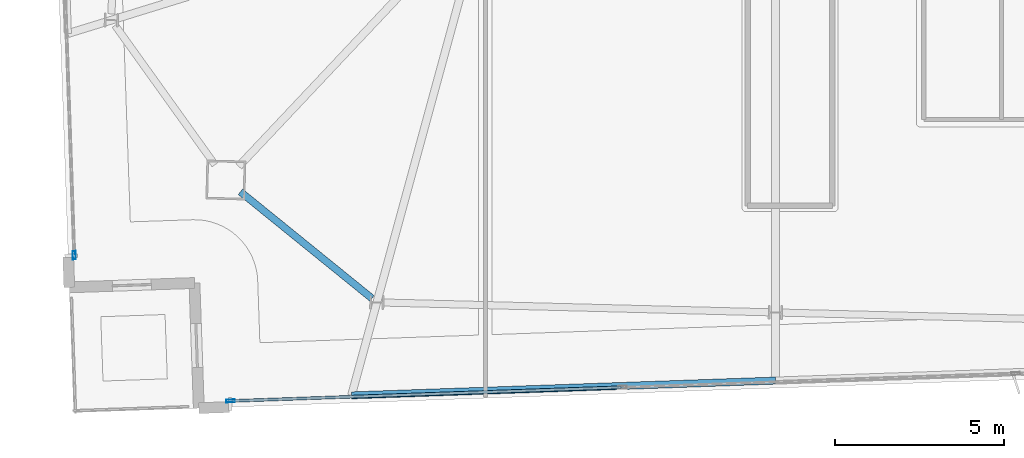
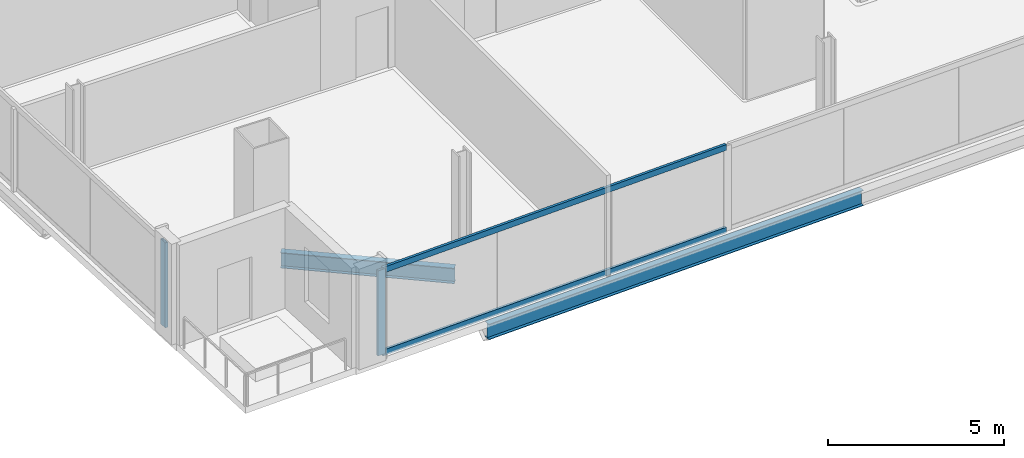
# One storey, part 2 of 23: 4 members, 2 beams, 2 elements without a shape of their own.
"""IFC4 building model written with IfcOpenShell, lengths in metres."""

from ifc_helpers import new_model, si_unit, direction, frame, origin, origin_2d, place, context, subcontext, project, spatial, hollow_rectangle, i_section, extrude, material, material_profile, profile_set, type_object, element, aggregate, save


model = new_model("IFC4")

# Units and contexts
model_context = context("Model", 3, precision=1e-05, world=origin(), true_north=direction((0.0, 1.0)))
body_context = subcontext(model_context, "Body", "Model", "MODEL_VIEW")
ifc_project = project(units=[si_unit("LENGTHUNIT", "METRE"), si_unit("AREAUNIT", "SQUARE_METRE"), si_unit("VOLUMEUNIT", "CUBIC_METRE"), si_unit("PLANEANGLEUNIT", "RADIAN"), si_unit("MASSUNIT", "GRAM", prefix="KILO")], contexts=[model_context])

# Site, building, storey
site_placement = place(None, origin())
site = spatial("IfcSite", under=ifc_project, at=site_placement, CompositionType="ELEMENT")
building_placement = place(site_placement, origin())
building = spatial("IfcBuilding", under=site, at=building_placement, Name="Haldenkirk Collegiate Tower", CompositionType="ELEMENT")
storey_placement = place(building_placement, frame((0.0, 0.0, 336.449951171875)))
storey = spatial("IfcBuildingStorey", under=building, at=storey_placement, Name="L85", CompositionType="ELEMENT", Elevation=336.449951171875)

# Beams
ifc_material_1 = material(Name="Steel ASTM A992 Grade 50", Category="steel")
ifc_material_profile_1 = material_profile(ifc_material_1, i_section(OverallWidth=0.2099609375, OverallDepth=0.537109375, WebThickness=0.010986328125, FlangeThickness=0.017333984375, at=origin_2d()), Name="W21X68")
ifc_profile_set_1 = profile_set([ifc_material_profile_1], Name="Steel ASTM A992 Grade 50")
beam_type = type_object("IfcBeamType", Name="BM-SPANDREL-W21X68", PredefinedType="SPANDREL", material=ifc_profile_set_1)
beam_1_placement = place(storey_placement, frame((19.767578125, 9.51708984375, -0.528564453125), z_axis=(0.776950131303, -0.629562144247, 0.0), x_axis=(0.629562144247, 0.776950131303, 0.0)))
element("IfcBeam", 1, at=beam_1_placement, inside=storey, type_object=beam_type, Name="L85 perimeter spandrel beam 13", PredefinedType="SPANDREL", context=body_context, shape_type="SweptSolid", body=[
    extrude(i_section(OverallWidth=0.2099609375, OverallDepth=0.537109375, WebThickness=0.010986328125, FlangeThickness=0.017333984375, at=origin_2d()), origin(), (0.0, 0.0, 1.0), 4.99755859375),
])
beam_2_placement = place(storey_placement, frame((23.046875, 3.504150390625, -0.528564453125), z_axis=(0.999390766978, 0.034901216021, 0.0), x_axis=(-0.034901216021, 0.999390766978, 0.0)))
element("IfcBeam", 2, at=beam_2_placement, inside=storey, type_object=beam_type, Name="L85 outer facade edge beam 4A", PredefinedType="SPANDREL", context=body_context, shape_type="SweptSolid", body=[
    extrude(i_section(OverallWidth=0.2099609375, OverallDepth=0.537109375, WebThickness=0.010986328125, FlangeThickness=0.017333984375, at=origin_2d()), origin(), (0.0, 0.0, 1.0), 12.5283203125),
])

# Curtain wall, member
ifc_material_2 = material(Name="Anodised architectural bronze aluminium", Category="aluminium")
curtain_wall_type = type_object("IfcCurtainWallType", Name="CW-SYS1B-CONVEX-HI", PredefinedType="USERDEFINED", material=ifc_material_2)
curtain_wall_1_placement = place(storey_placement, origin())
curtain_wall_1 = element("IfcCurtainWall", 3, at=curtain_wall_1_placement, inside=storey, type_object=curtain_wall_type, Name="L85 Upper tower high-wind convex bronze unitised curtain wall", ObjectType="UNITISED CURTAIN WALL", PredefinedType="USERDEFINED")
ifc_material_profile_2 = material_profile(ifc_material_2, hollow_rectangle(XDim=0.0849609375, YDim=0.25, WallThickness=0.0048828125, at=origin_2d()), Name="CW-MUL-1B")
ifc_profile_set_2 = profile_set([ifc_material_profile_2], Name="Anodised architectural bronze aluminium")
member_type_1 = type_object("IfcMemberType", Name="CW-MUL-1B", PredefinedType="MULLION", material=ifc_profile_set_2)
member_1_placement = place(storey_placement, frame((14.85791015625, 7.6435546875, 0.0), z_axis=(0.0, 0.0, 1.0), x_axis=(-0.999390776503, -0.034900943257, 0.0)))
member_1 = element("IfcMember", 4, at=member_1_placement, type_object=member_type_1, Name="CW-1B mullion 1", PredefinedType="MULLION", context=body_context, shape_type="SweptSolid", body=[
    extrude(hollow_rectangle(XDim=0.0849609375, YDim=0.25, WallThickness=0.0048828125, at=origin_2d()), origin(), (0.0, 0.0, 1.0), 2.947998046875),
])
aggregate(curtain_wall_1, [member_1])

# Curtain wall, members
curtain_wall_2_placement = place(storey_placement, origin())
curtain_wall_2 = element("IfcCurtainWall", 5, at=curtain_wall_2_placement, inside=storey, type_object=curtain_wall_type, Name="L85 Upper tower high-wind convex bronze unitised curtain wall", ObjectType="UNITISED CURTAIN WALL", PredefinedType="USERDEFINED")
member_2_placement = place(storey_placement, frame((19.473388671875, 3.33935546875, 0.0), z_axis=(0.0, 0.0, 1.0), x_axis=(0.034901844415, -0.999390745032, 0.0)))
member_2 = element("IfcMember", 6, at=member_2_placement, type_object=member_type_1, Name="CW-1B mullion 4", PredefinedType="MULLION", context=body_context, shape_type="SweptSolid", body=[
    extrude(hollow_rectangle(XDim=0.0849609375, YDim=0.25, WallThickness=0.0048828125, at=origin_2d()), origin(), (0.0, 0.0, 1.0), 2.947998046875),
])
ifc_material_profile_3 = material_profile(ifc_material_2, hollow_rectangle(XDim=0.0849609375, YDim=0.199951171875, WallThickness=0.0048828125, at=origin_2d()), Name="CW-TRN-1B")
ifc_profile_set_3 = profile_set([ifc_material_profile_3], Name="Anodised architectural bronze aluminium")
member_type_2 = type_object("IfcMemberType", Name="CW-TRN-1B", PredefinedType="USERDEFINED", material=ifc_profile_set_3)
member_3_placement = place(storey_placement, frame((31.00634765625, 3.7421875, 0.04248046875), z_axis=(-0.999390490746, -0.034909124972, 0.0), x_axis=(0.034909124972, -0.999390490746, 0.0)))
member_3 = element("IfcMember", 7, at=member_3_placement, type_object=member_type_2, Name="CW-1B transom 3.1", ObjectType="TRANSOM", PredefinedType="USERDEFINED", context=body_context, shape_type="SweptSolid", body=[
    extrude(hollow_rectangle(XDim=0.0849609375, YDim=0.199951171875, WallThickness=0.0048828125, at=origin_2d()), origin(), (0.0, 0.0, 1.0), 11.49755859375),
])
member_4_placement = place(storey_placement, frame((31.00634765625, 3.7421875, 2.905517578125), z_axis=(-0.999390490746, -0.034909124972, 0.0), x_axis=(0.034909124972, -0.999390490746, 0.0)))
member_4 = element("IfcMember", 8, at=member_4_placement, type_object=member_type_2, Name="CW-1B transom 3.2", ObjectType="TRANSOM", PredefinedType="USERDEFINED", context=body_context, shape_type="SweptSolid", body=[
    extrude(hollow_rectangle(XDim=0.0849609375, YDim=0.199951171875, WallThickness=0.0048828125, at=origin_2d()), origin(), (0.0, 0.0, 1.0), 11.49755859375),
])
aggregate(curtain_wall_2, [member_2, member_3, member_4])

save(model, "model.ifc")
